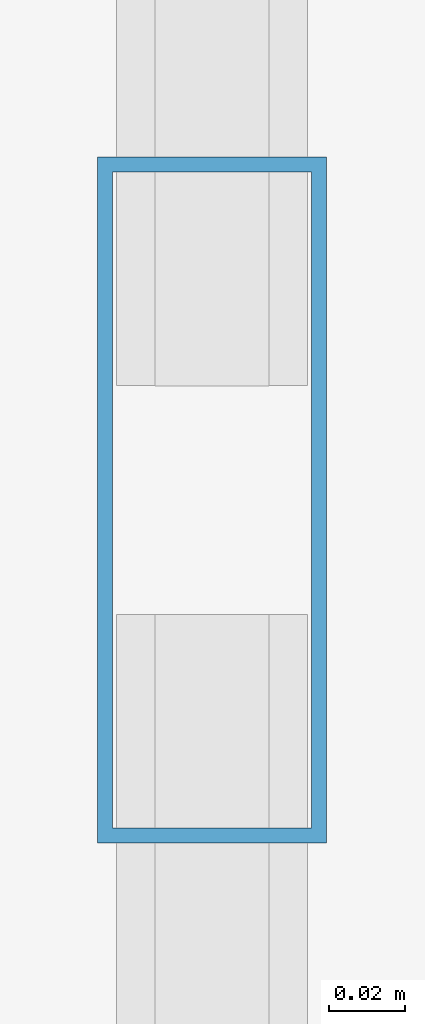
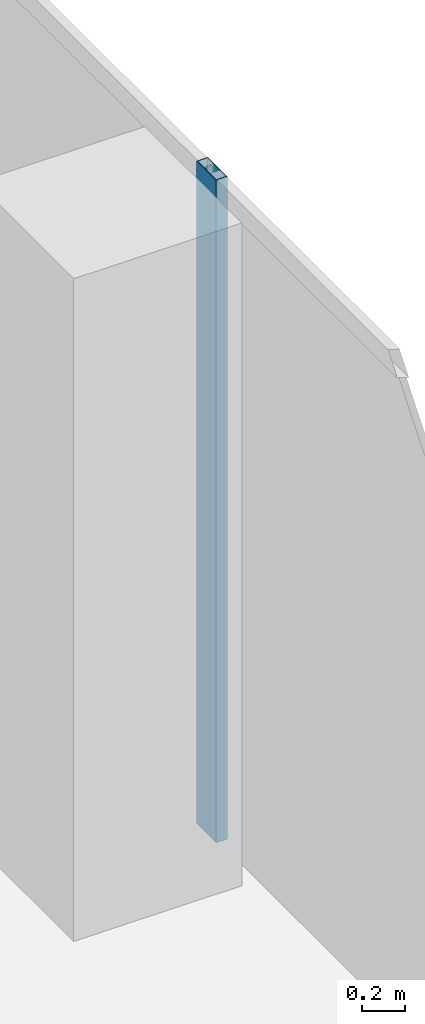
# One storey, part 15 of 35: 1 member, 1 element without a shape of its own.
"""IFC4 building model written with IfcOpenShell, lengths in metres."""

from ifc_helpers import new_model, si_unit, direction, frame, origin, origin_2d, place, context, subcontext, project, spatial, hollow_rectangle, extrude, source, transform, mapped, material, material_profile, profile_set, type_object, element, aggregate, save


model = new_model("IFC4")

# Units and contexts
model_context = context("Model", 3, precision=1e-05, world=origin(), true_north=direction((0.0, 1.0)))
body_context = subcontext(model_context, "Body", "Model", "MODEL_VIEW")
ifc_project = project(units=[si_unit("LENGTHUNIT", "METRE"), si_unit("AREAUNIT", "SQUARE_METRE"), si_unit("VOLUMEUNIT", "CUBIC_METRE"), si_unit("PLANEANGLEUNIT", "RADIAN"), si_unit("MASSUNIT", "GRAM", prefix="KILO")], contexts=[model_context])

# Site, building, storey
site_placement = place(None, origin())
site = spatial("IfcSite", under=ifc_project, at=site_placement, CompositionType="ELEMENT")
building_placement = place(site_placement, origin())
building = spatial("IfcBuilding", under=site, at=building_placement, Name="Khomas Fold Tower", CompositionType="ELEMENT")
storey_placement = place(building_placement, frame((0.0, 0.0, 262.199951171875)))
storey = spatial("IfcBuildingStorey", under=building, at=storey_placement, Name="L59", CompositionType="ELEMENT", Elevation=262.199951171875)

# Curtain wall, member
ifc_material_1 = material(Name="Aluminium framed double glazing", Category="aluminium")
curtain_wall_type = type_object("IfcCurtainWallType", Name="SK-Unitised clear-glass wall, office floors CW2", PredefinedType="NOTDEFINED", material=ifc_material_1)
curtain_wall_placement = place(storey_placement, origin())
curtain_wall = element("IfcCurtainWall", 1, at=curtain_wall_placement, inside=storey, type_object=curtain_wall_type, Name="CW2 run L59 03-1", PredefinedType="NOTDEFINED")
ifc_material_2 = material(Name="Aluminium", Category="aluminium")
ifc_material_profile = material_profile(ifc_material_2, hollow_rectangle(XDim=0.06005859375, YDim=0.179931640625, WallThickness=0.00390625, at=origin_2d()), Name="SK-Unitised clear-glass wall, office floors mullion CW2-M")
ifc_profile_set = profile_set([ifc_material_profile], Name="Aluminium")
member_type = type_object("IfcMemberType", Name="SK-Unitised clear-glass wall, office floors mullion CW2-M", PredefinedType="MULLION", material=ifc_profile_set)
shared_shape = source(origin(), body_context, "Body", "SweptSolid", [
    extrude(hollow_rectangle(XDim=0.06005859375, YDim=0.179931640625, WallThickness=0.00390625, at=origin_2d()), origin(), (0.0, 0.0, 1.0), 3.75),
])
member_placement = place(storey_placement, frame((49.39990234375, 34.5, 0.0), z_axis=(0.0, 0.0, 1.0), x_axis=(-1.0, 0.0, 0.0)))
member = element("IfcMember", 2, at=member_placement, type_object=member_type, Name="CW2 mullion 3", PredefinedType="MULLION", context=body_context, shape_type="MappedRepresentation", body=[
    mapped(shared_shape, transform((0.0, 0.0, 0.0))),
])
aggregate(curtain_wall, [member])

save(model, "model.ifc")
